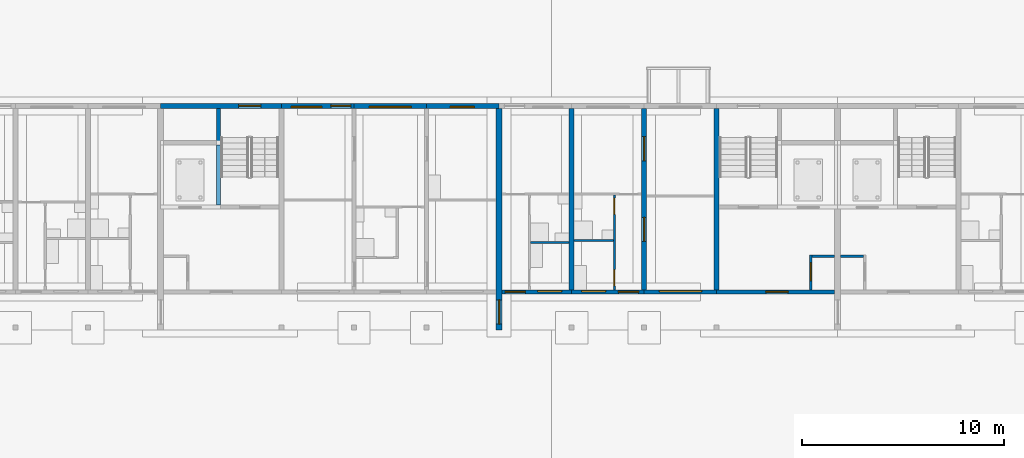
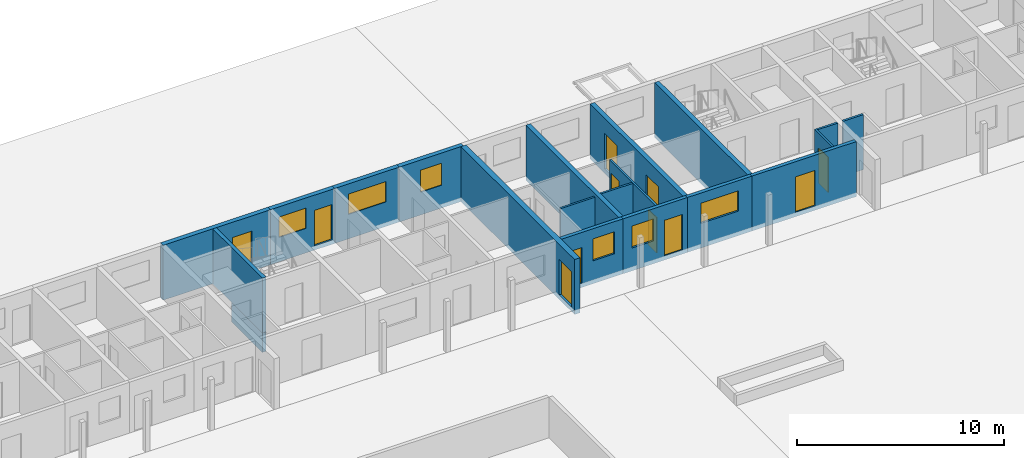
# One storey, part 50 of 112: 20 walls, 11 doors, 6 windows, 17 openings.
"""IFC4 building model written with IfcOpenShell, lengths in metres."""

from ifc_helpers import new_model, si_unit, direction, frame, frame_2d, origin, place, context, subcontext, project, spatial, rectangle, extrude, material, layer, layer_set, type_object, element, fill, save


model = new_model("IFC4")

# Units and contexts
model_context = context("Model", 3, precision=1e-05, world=origin(), true_north=direction((0.0, 1.0)))
body_context = subcontext(model_context, "Body", "Model", "MODEL_VIEW")
ifc_project = project(units=[si_unit("LENGTHUNIT", "METRE"), si_unit("AREAUNIT", "SQUARE_METRE"), si_unit("VOLUMEUNIT", "CUBIC_METRE"), si_unit("PLANEANGLEUNIT", "RADIAN"), si_unit("MASSUNIT", "GRAM", prefix="KILO")], contexts=[model_context])

# Site, building, storey
site_placement = place(None, origin())
site = spatial("IfcSite", under=ifc_project, at=site_placement, CompositionType="ELEMENT")
building_placement = place(site_placement, origin())
building = spatial("IfcBuilding", under=site, at=building_placement, Name="Ridgestep Commons", CompositionType="ELEMENT")
storey_placement = place(building_placement, origin())
storey = spatial("IfcBuildingStorey", under=building, at=storey_placement, Name="L00", CompositionType="ELEMENT", Elevation=0.0)

# Wall
ifc_material_1 = material(Name="Concrete C30/37", Category="concrete")
ifc_layer_1 = layer(ifc_material_1, 0.25)
ifc_layer_set_1 = layer_set([ifc_layer_1], Name="Core cross wall 250")
wall_type_1 = type_object("IfcWallType", Name="Core cross wall 250", PredefinedType="SHEAR", material=ifc_layer_set_1)
wall_1_placement = place(storey_placement, frame((73.199951171875, 68.0, -0.25), z_axis=(0.0, 0.0, 1.0), x_axis=(0.0, 1.0, 0.0)))
element("IfcWall", 1, at=wall_1_placement, inside=storey, type_object=wall_type_1, Name="Cross wall B-00-0732", PredefinedType="SHEAR", context=body_context, shape_type="SweptSolid", body=[
    extrude(rectangle(XDim=9.0, YDim=0.25, at=frame_2d((4.5, 0.0))), origin(), (0.0, 0.0, 1.0), 3.25),
])

# Wall, opening, door
ifc_material_2 = material(Name="Concrete C30/37", Category="concrete")
ifc_layer_2 = layer(ifc_material_2, 0.199951171875)
ifc_layer_set_2 = layer_set([ifc_layer_2], Name="Core south wall 200")
wall_type_2 = type_object("IfcWallType", Name="Core south wall 200", PredefinedType="SHEAR", material=ifc_layer_set_2)
wall_2_placement = place(storey_placement, frame((73.199951171875, 67.89990234375, -0.25), z_axis=(0.0, 0.0, 1.0), x_axis=(1.0, 0.0, 0.0)))
wall_2 = element("IfcWall", 2, at=wall_2_placement, inside=storey, type_object=wall_type_2, Name="Core south wall B4C L00", PredefinedType="SHEAR", context=body_context, shape_type="SweptSolid", body=[
    extrude(rectangle(XDim=5.85009765625, YDim=0.199951171875, at=frame_2d((2.925048828125, 0.0))), origin(), (0.0, 0.0, 1.0), 3.25),
])
opening_1_placement = place(wall_2_placement, frame((2.4375, 0.0, 0.25)))
opening_1 = element("IfcOpeningElement", 3, at=opening_1_placement, cuts=wall_2, Name="Opening B4C/00/1", PredefinedType="OPENING", context=body_context, shape_type="SweptSolid", body=[
    extrude(rectangle(XDim=1.10009765625, YDim=2.10009765625, at=frame_2d((0.550048828125, 1.050048828125))), frame((0.0, 0.10986328125, 0.0), z_axis=(0.0, -1.0, 0.0), x_axis=(1.0, 0.0, 0.0)), (0.0, 0.0, 1.0), 0.219970703125),
])
ifc_material_3 = material(Name="Steel fire door", Category="steel")
door_type_1 = type_object("IfcDoorType", Name="Lobby door 1100 x 2100 FD60", OperationType="NOTDEFINED", PredefinedType="DOOR", material=ifc_material_3)
door_1_placement = place(opening_1_placement, origin())
door_1 = element("IfcDoor", 4, at=door_1_placement, inside=storey, type_object=door_type_1, Name="Lobby door B4C/00/1", OperationType="SINGLE_SWING_LEFT", OverallHeight=2.10009765625, OverallWidth=1.10009765625, PredefinedType="DOOR", context=body_context, shape_type="SweptSolid", body=[
    extrude(rectangle(XDim=1.10009765625, YDim=2.10009765625, at=frame_2d((0.550048828125, 1.050048828125))), frame((0.0, 0.02490234375, 0.0), z_axis=(0.0, -1.0, 0.0), x_axis=(1.0, 0.0, 0.0)), (0.0, 0.0, 1.0), 0.050048828125),
])
fill(opening_1, door_1)

ifc_material_4 = material(Name="Concrete C30/37", Category="concrete")
ifc_layer_3 = layer(ifc_material_4, 0.1201171875)
ifc_layer_set_3 = layer_set([ifc_layer_3], Name="Core wall 120")
wall_type_3 = type_object("IfcWallType", Name="Core wall 120", PredefinedType="SHEAR", material=ifc_layer_set_3)
wall_3_placement = place(storey_placement, frame((77.860107421875, 68.0, -0.25), z_axis=(0.0, 0.0, 1.0), x_axis=(0.0, 1.0, 0.0)))
wall_3 = element("IfcWall", 5, at=wall_3_placement, inside=storey, type_object=wall_type_3, Name="Core riser w wall B4C L00", PredefinedType="SHEAR", context=body_context, shape_type="SweptSolid", body=[
    extrude(rectangle(XDim=1.719970703125, YDim=0.1201171875, at=frame_2d((0.85986328125, 0.0))), origin(), (0.0, 0.0, 1.0), 3.25),
])
opening_2_placement = place(wall_3_placement, frame((0.449951171875, 0.0, 0.25)))
opening_2 = element("IfcOpeningElement", 6, at=opening_2_placement, cuts=wall_3, Name="Opening B4C/00/4", PredefinedType="OPENING", context=body_context, shape_type="SweptSolid", body=[
    extrude(rectangle(XDim=0.89990234375, YDim=2.10009765625, at=frame_2d((0.449951171875, 1.050048828125))), frame((0.0, 0.070068359375, 0.0), z_axis=(0.0, -1.0, 0.0), x_axis=(1.0, 0.0, 0.0)), (0.0, 0.0, 1.0), 0.14013671875),
])
ifc_material_5 = material(Name="Steel fire door", Category="steel")
door_type_2 = type_object("IfcDoorType", Name="Riser door 900 x 2100 FD60", OperationType="NOTDEFINED", PredefinedType="DOOR", material=ifc_material_5)
door_2_placement = place(opening_2_placement, origin())
door_2 = element("IfcDoor", 7, at=door_2_placement, inside=storey, type_object=door_type_2, Name="Riser door B4C/00/4", OperationType="SINGLE_SWING_LEFT", OverallHeight=2.10009765625, OverallWidth=0.89990234375, PredefinedType="DOOR", context=body_context, shape_type="SweptSolid", body=[
    extrude(rectangle(XDim=0.89990234375, YDim=2.10009765625, at=frame_2d((0.449951171875, 1.050048828125))), frame((0.0, 0.02490234375, 0.0), z_axis=(0.0, -1.0, 0.0), x_axis=(1.0, 0.0, 0.0)), (0.0, 0.0, 1.0), 0.050048828125),
])
fill(opening_2, door_2)

# Walls
wall_4_placement = place(storey_placement, frame((77.919921875, 69.659912109375, -0.25), z_axis=(0.0, 0.0, 1.0), x_axis=(1.0, 0.0, 0.0)))
element("IfcWall", 8, at=wall_4_placement, inside=storey, type_object=wall_type_3, Name="Core riser n wall B4C L00", PredefinedType="SHEAR", context=body_context, shape_type="SweptSolid", body=[
    extrude(rectangle(XDim=1.130126953125, YDim=0.1201171875, at=frame_2d((0.56494140625, 0.0))), origin(), (0.0, 0.0, 1.0), 3.25),
])
wall_5_placement = place(storey_placement, frame((79.35009765625, 69.659912109375, -0.25), z_axis=(0.0, 0.0, 1.0), x_axis=(1.0, 0.0, 0.0)))
element("IfcWall", 9, at=wall_5_placement, inside=storey, type_object=wall_type_3, Name="Core riser n wall B5C L00", PredefinedType="SHEAR", context=body_context, shape_type="SweptSolid", body=[
    extrude(rectangle(XDim=1.1298828125, YDim=0.1201171875, at=frame_2d((0.56494140625, 0.0))), origin(), (0.0, 0.0, 1.0), 3.25),
])
ifc_material_6 = material(Name="Concrete C30/37", Category="concrete")
ifc_layer_4 = layer(ifc_material_6, 0.199951171875)
ifc_layer_set_4 = layer_set([ifc_layer_4], Name="Core wall 200")
wall_type_4 = type_object("IfcWallType", Name="Core wall 200", PredefinedType="SHEAR", material=ifc_layer_set_4)
wall_6_placement = place(storey_placement, frame((48.47509765625, 72.199951171875, -0.25), z_axis=(0.0, 0.0, 1.0), x_axis=(0.0, 1.0, 0.0)))
element("IfcWall", 10, at=wall_6_placement, inside=storey, type_object=wall_type_4, Name="Core stair wall B3C L00", PredefinedType="SHEAR", context=body_context, shape_type="SweptSolid", body=[
    extrude(rectangle(XDim=4.800048828125, YDim=0.199951171875, at=frame_2d((2.39990234375, 0.0))), origin(), (0.0, 0.0, 1.0), 3.25),
])
wall_7_placement = place(storey_placement, frame((48.47509765625, 72.199951171875, -1.39990234375), z_axis=(0.0, 0.0, 1.0), x_axis=(0.0, 1.0, 0.0)))
element("IfcWall", 11, at=wall_7_placement, inside=storey, type_object=wall_type_4, Name="Lift pit wall B3C", PredefinedType="SHEAR", context=body_context, shape_type="SweptSolid", body=[
    extrude(rectangle(XDim=3.0, YDim=0.199951171875, at=frame_2d((1.5, 0.0))), origin(), (0.0, 0.0, 1.0), 1.14990234375),
])
ifc_material_7 = material(Name="Precast concrete C40/50", Category="concrete")
ifc_layer_5 = layer(ifc_material_7, 0.25)
ifc_layer_set_5 = layer_set([ifc_layer_5], Name="Cross wall 250")
wall_type_5 = type_object("IfcWallType", Name="Cross wall 250", PredefinedType="SHEAR", material=ifc_layer_set_5)
wall_8_placement = place(storey_placement, frame((66.0, 68.0, -0.25), z_axis=(0.0, 0.0, 1.0), x_axis=(0.0, 1.0, 0.0)))
element("IfcWall", 12, at=wall_8_placement, inside=storey, type_object=wall_type_5, Name="Cross wall B-00-0660", PredefinedType="SHEAR", context=body_context, shape_type="SweptSolid", body=[
    extrude(rectangle(XDim=9.0, YDim=0.25, at=frame_2d((4.5, 0.0))), origin(), (0.0, 0.0, 1.0), 3.25),
])

# Wall, openings, doors
wall_9_placement = place(storey_placement, frame((69.60009765625, 68.0, -0.25), z_axis=(0.0, 0.0, 1.0), x_axis=(0.0, 1.0, 0.0)))
wall_9 = element("IfcWall", 13, at=wall_9_placement, inside=storey, type_object=wall_type_5, Name="Cross wall B-00-0696", PredefinedType="SHEAR", context=body_context, shape_type="SweptSolid", body=[
    extrude(rectangle(XDim=9.0, YDim=0.25, at=frame_2d((4.5, 0.0))), origin(), (0.0, 0.0, 1.0), 3.25),
])
opening_3_placement = place(wall_9_placement, frame((2.39990234375, 0.0, 0.25)))
opening_3 = element("IfcOpeningElement", 14, at=opening_3_placement, cuts=wall_9, Name="Opening B4-00b/5", PredefinedType="OPENING", context=body_context, shape_type="SweptSolid", body=[
    extrude(rectangle(XDim=1.199951171875, YDim=2.10009765625, at=frame_2d((0.60009765625, 1.050048828125))), frame((0.0, 0.135009765625, 0.0), z_axis=(0.0, -1.0, 0.0), x_axis=(1.0, 0.0, 0.0)), (0.0, 0.0, 1.0), 0.27001953125),
])
opening_4_placement = place(wall_9_placement, frame((6.39990234375, 0.0, 0.25)))
opening_4 = element("IfcOpeningElement", 15, at=opening_4_placement, cuts=wall_9, Name="Opening B4-00b/6", PredefinedType="OPENING", context=body_context, shape_type="SweptSolid", body=[
    extrude(rectangle(XDim=1.199951171875, YDim=2.10009765625, at=frame_2d((0.60009765625, 1.050048828125))), frame((0.0, 0.135009765625, 0.0), z_axis=(0.0, -1.0, 0.0), x_axis=(1.0, 0.0, 0.0)), (0.0, 0.0, 1.0), 0.27001953125),
])
ifc_material_8 = material(Name="Timber door leaf", Category="wood")
door_type_3 = type_object("IfcDoorType", Name="Double door 1200 x 2100", OperationType="DOUBLE_DOOR_SINGLE_SWING", PredefinedType="DOOR", material=ifc_material_8)
door_3_placement = place(opening_3_placement, origin())
door_3 = element("IfcDoor", 16, at=door_3_placement, inside=storey, type_object=door_type_3, Name="Double door B4-00b/5", OperationType="DOUBLE_DOOR_SINGLE_SWING", OverallHeight=2.10009765625, OverallWidth=1.199951171875, PredefinedType="DOOR", context=body_context, shape_type="SweptSolid", body=[
    extrude(rectangle(XDim=1.199951171875, YDim=2.10009765625, at=frame_2d((0.60009765625, 1.050048828125))), frame((0.0, 0.02490234375, 0.0), z_axis=(0.0, -1.0, 0.0), x_axis=(1.0, 0.0, 0.0)), (0.0, 0.0, 1.0), 0.050048828125),
])
fill(opening_3, door_3)
door_4_placement = place(opening_4_placement, origin())
door_4 = element("IfcDoor", 17, at=door_4_placement, inside=storey, type_object=door_type_3, Name="Double door B4-00b/6", OperationType="DOUBLE_DOOR_SINGLE_SWING", OverallHeight=2.10009765625, OverallWidth=1.199951171875, PredefinedType="DOOR", context=body_context, shape_type="SweptSolid", body=[
    extrude(rectangle(XDim=1.199951171875, YDim=2.10009765625, at=frame_2d((0.60009765625, 1.050048828125))), frame((0.0, 0.02490234375, 0.0), z_axis=(0.0, -1.0, 0.0), x_axis=(1.0, 0.0, 0.0)), (0.0, 0.0, 1.0), 0.050048828125),
])
fill(opening_4, door_4)

# Wall, opening, door
ifc_material_9 = material(Name="Precast concrete C40/50", Category="concrete")
ifc_layer_6 = layer(ifc_material_9, 0.300048828125)
ifc_layer_set_6 = layer_set([ifc_layer_6], Name="Division wall 300")
wall_type_6 = type_object("IfcWallType", Name="Division wall 300", PredefinedType="SHEAR", material=ifc_layer_set_6)
wall_10_placement = place(storey_placement, frame((62.39990234375, 66.0, -0.25), z_axis=(0.0, 0.0, 1.0), x_axis=(0.0, 1.0, 0.0)))
wall_10 = element("IfcWall", 18, at=wall_10_placement, inside=storey, type_object=wall_type_6, Name="Cross wall B-00-0624", PredefinedType="SHEAR", context=body_context, shape_type="SweptSolid", body=[
    extrude(rectangle(XDim=11.0, YDim=0.300048828125, at=frame_2d((5.5, 0.0))), origin(), (0.0, 0.0, 1.0), 3.25),
])
opening_5_placement = place(wall_10_placement, frame((0.300048828125, 0.0, 0.25)))
opening_5 = element("IfcOpeningElement", 19, at=opening_5_placement, cuts=wall_10, Name="Opening B/00/G0624", PredefinedType="OPENING", context=body_context, shape_type="SweptSolid", body=[
    extrude(rectangle(XDim=1.199951171875, YDim=2.10009765625, at=frame_2d((0.60009765625, 1.050048828125))), frame((0.0, 0.159912109375, 0.0), z_axis=(0.0, -1.0, 0.0), x_axis=(1.0, 0.0, 0.0)), (0.0, 0.0, 1.0), 0.320068359375),
])
ifc_material_10 = material(Name="Steel fire door", Category="steel")
door_type_4 = type_object("IfcDoorType", Name="Division fire door 1200 x 2100 EI 240", OperationType="DOUBLE_DOOR_SINGLE_SWING", PredefinedType="DOOR", material=ifc_material_10)
door_5_placement = place(opening_5_placement, origin())
door_5 = element("IfcDoor", 20, at=door_5_placement, inside=storey, type_object=door_type_4, Name="Division fire door B/00/G0624", OperationType="DOUBLE_DOOR_SINGLE_SWING", OverallHeight=2.10009765625, OverallWidth=1.199951171875, PredefinedType="DOOR", context=body_context, shape_type="SweptSolid", body=[
    extrude(rectangle(XDim=1.199951171875, YDim=2.10009765625, at=frame_2d((0.60009765625, 1.050048828125))), frame((0.0, 0.02490234375, 0.0), z_axis=(0.0, -1.0, 0.0), x_axis=(1.0, 0.0, 0.0)), (0.0, 0.0, 1.0), 0.050048828125),
])
fill(opening_5, door_5)

ifc_material_11 = material(Name="Precast concrete C40/50", Category="concrete")
ifc_layer_7 = layer(ifc_material_11, 0.25)
ifc_layer_set_7 = layer_set([ifc_layer_7], Name="North facade panel 250")
wall_type_7 = type_object("IfcWallType", Name="North facade panel 250", PredefinedType="SOLIDWALL", material=ifc_layer_set_7)
wall_11_placement = place(storey_placement, frame((45.60009765625, 77.125, -0.25), z_axis=(0.0, 0.0, 1.0), x_axis=(1.0, 0.0, 0.0)))
wall_11 = element("IfcWall", 21, at=wall_11_placement, inside=storey, type_object=wall_type_7, Name="North panel B3C L00", PredefinedType="SOLIDWALL", context=body_context, shape_type="SweptSolid", body=[
    extrude(rectangle(XDim=6.0, YDim=0.25, at=frame_2d((3.0, 0.0))), origin(), (0.0, 0.0, 1.0), 3.25),
])
opening_6_placement = place(wall_11_placement, frame((3.875, 0.0, 0.25)))
opening_6 = element("IfcOpeningElement", 22, at=opening_6_placement, cuts=wall_11, Name="Opening B3C/00/5", PredefinedType="OPENING", context=body_context, shape_type="SweptSolid", body=[
    extrude(rectangle(XDim=1.10009765625, YDim=2.10009765625, at=frame_2d((0.550048828125, 1.050048828125))), frame((0.0, 0.135009765625, 0.0), z_axis=(0.0, -1.0, 0.0), x_axis=(1.0, 0.0, 0.0)), (0.0, 0.0, 1.0), 0.27001953125),
])
ifc_material_12 = material(Name="Steel fire door", Category="steel")
door_type_5 = type_object("IfcDoorType", Name="Stair exit door 1100 x 2100 FD60", OperationType="NOTDEFINED", PredefinedType="DOOR", material=ifc_material_12)
door_6_placement = place(opening_6_placement, origin())
door_6 = element("IfcDoor", 23, at=door_6_placement, inside=storey, type_object=door_type_5, Name="Stair exit door B3C/00/5", OperationType="SINGLE_SWING_LEFT", OverallHeight=2.10009765625, OverallWidth=1.10009765625, PredefinedType="DOOR", context=body_context, shape_type="SweptSolid", body=[
    extrude(rectangle(XDim=1.10009765625, YDim=2.10009765625, at=frame_2d((0.550048828125, 1.050048828125))), frame((0.0, 0.02490234375, 0.0), z_axis=(0.0, -1.0, 0.0), x_axis=(1.0, 0.0, 0.0)), (0.0, 0.0, 1.0), 0.050048828125),
])
fill(opening_6, door_6)

# Wall, openings, door, window
wall_12_placement = place(storey_placement, frame((51.60009765625, 77.125, -0.25), z_axis=(0.0, 0.0, 1.0), x_axis=(1.0, 0.0, 0.0)))
wall_12 = element("IfcWall", 24, at=wall_12_placement, inside=storey, type_object=wall_type_7, Name="North panel B3T3 L00", PredefinedType="SOLIDWALL", context=body_context, shape_type="SweptSolid", body=[
    extrude(rectangle(XDim=3.599853515625, YDim=0.25, at=frame_2d((1.7998046875, 0.0))), origin(), (0.0, 0.0, 1.0), 3.25),
])
opening_7_placement = place(wall_12_placement, frame((0.487548828125, 0.0, 1.449951171875)))
opening_7 = element("IfcOpeningElement", 25, at=opening_7_placement, cuts=wall_12, Name="Opening W13", PredefinedType="OPENING", context=body_context, shape_type="SweptSolid", body=[
    extrude(rectangle(XDim=1.5, YDim=1.199951171875, at=frame_2d((0.75, 0.60009765625))), frame((0.0, 0.135009765625, 0.0), z_axis=(0.0, -1.0, 0.0), x_axis=(1.0, 0.0, 0.0)), (0.0, 0.0, 1.0), 0.27001953125),
])
opening_8_placement = place(wall_12_placement, frame((2.449951171875, 0.0, 0.25)))
opening_8 = element("IfcOpeningElement", 26, at=opening_8_placement, cuts=wall_12, Name="Opening B3-00a/8", PredefinedType="OPENING", context=body_context, shape_type="SweptSolid", body=[
    extrude(rectangle(XDim=1.0, YDim=2.10009765625, at=frame_2d((0.5, 1.050048828125))), frame((0.0, 0.135009765625, 0.0), z_axis=(0.0, -1.0, 0.0), x_axis=(1.0, 0.0, 0.0)), (0.0, 0.0, 1.0), 0.27001953125),
])
ifc_material_13 = material(Name="Aluminium and glass", Category="aluminium")
door_type_6 = type_object("IfcDoorType", Name="Balcony door 1000 x 2100", OperationType="NOTDEFINED", PredefinedType="DOOR", material=ifc_material_13)
door_7_placement = place(opening_8_placement, origin())
door_7 = element("IfcDoor", 27, at=door_7_placement, inside=storey, type_object=door_type_6, Name="Balcony door B3-00a/8", OperationType="SINGLE_SWING_LEFT", OverallHeight=2.10009765625, OverallWidth=1.0, PredefinedType="DOOR", context=body_context, shape_type="SweptSolid", body=[
    extrude(rectangle(XDim=1.0, YDim=2.10009765625, at=frame_2d((0.5, 1.050048828125))), frame((0.0, 0.02490234375, 0.0), z_axis=(0.0, -1.0, 0.0), x_axis=(1.0, 0.0, 0.0)), (0.0, 0.0, 1.0), 0.050048828125),
])
fill(opening_8, door_7)
ifc_material_14 = material(Name="Aluminium 6063-T6 and glass", Category="aluminium")
window_type_1 = type_object("IfcWindowType", Name="Flat window 1500 x 1200", PartitioningType="DOUBLE_PANEL_VERTICAL", PredefinedType="WINDOW", material=ifc_material_14)
window_1_placement = place(opening_7_placement, origin())
window_1 = element("IfcWindow", 28, at=window_1_placement, inside=storey, type_object=window_type_1, Name="Window B3-00a 2", OverallHeight=1.199951171875, OverallWidth=1.5, PartitioningType="SINGLE_PANEL", PredefinedType="WINDOW", context=body_context, shape_type="SweptSolid", body=[
    extrude(rectangle(XDim=1.5, YDim=1.199951171875, at=frame_2d((0.75, 0.60009765625))), frame((0.0, -0.02490234375, 0.0), z_axis=(0.0, -1.0, 0.0), x_axis=(1.0, 0.0, 0.0)), (0.0, 0.0, 1.0), 0.06005859375),
])
fill(opening_7, window_1)

# Wall, opening, window
wall_13_placement = place(storey_placement, frame((55.199951171875, 77.125, -0.25), z_axis=(0.0, 0.0, 1.0), x_axis=(1.0, 0.0, 0.0)))
wall_13 = element("IfcWall", 29, at=wall_13_placement, inside=storey, type_object=wall_type_7, Name="North panel B3T2 L00", PredefinedType="SOLIDWALL", context=body_context, shape_type="SweptSolid", body=[
    extrude(rectangle(XDim=3.60009765625, YDim=0.25, at=frame_2d((1.800048828125, 0.0))), origin(), (0.0, 0.0, 1.0), 3.25),
])
opening_9_placement = place(wall_13_placement, frame((0.75, 0.0, 1.449951171875)))
opening_9 = element("IfcOpeningElement", 30, at=opening_9_placement, cuts=wall_13, Name="Opening W22", PredefinedType="OPENING", context=body_context, shape_type="SweptSolid", body=[
    extrude(rectangle(XDim=2.10009765625, YDim=1.199951171875, at=frame_2d((1.050048828125, 0.60009765625))), frame((0.0, 0.135009765625, 0.0), z_axis=(0.0, -1.0, 0.0), x_axis=(1.0, 0.0, 0.0)), (0.0, 0.0, 1.0), 0.27001953125),
])
ifc_material_15 = material(Name="Aluminium 6063-T6 and glass", Category="aluminium")
window_type_2 = type_object("IfcWindowType", Name="Flat window 2100 x 1200", PartitioningType="DOUBLE_PANEL_VERTICAL", PredefinedType="WINDOW", material=ifc_material_15)
window_2_placement = place(opening_9_placement, origin())
window_2 = element("IfcWindow", 31, at=window_2_placement, inside=storey, type_object=window_type_2, Name="Window B3-00a 5", OverallHeight=1.199951171875, OverallWidth=2.10009765625, PartitioningType="SINGLE_PANEL", PredefinedType="WINDOW", context=body_context, shape_type="SweptSolid", body=[
    extrude(rectangle(XDim=2.10009765625, YDim=1.199951171875, at=frame_2d((1.050048828125, 0.60009765625))), frame((0.0, -0.02490234375, 0.0), z_axis=(0.0, -1.0, 0.0), x_axis=(1.0, 0.0, 0.0)), (0.0, 0.0, 1.0), 0.06005859375),
])
fill(opening_9, window_2)

wall_14_placement = place(storey_placement, frame((58.800048828125, 77.125, -0.25), z_axis=(0.0, 0.0, 1.0), x_axis=(1.0, 0.0, 0.0)))
wall_14 = element("IfcWall", 32, at=wall_14_placement, inside=storey, type_object=wall_type_7, Name="North panel B3T1 L00", PredefinedType="SOLIDWALL", context=body_context, shape_type="SweptSolid", body=[
    extrude(rectangle(XDim=3.599853515625, YDim=0.25, at=frame_2d((1.7998046875, 0.0))), origin(), (0.0, 0.0, 1.0), 3.25),
])
opening_10_placement = place(wall_14_placement, frame((1.175048828125, 0.0, 1.35009765625)))
opening_10 = element("IfcOpeningElement", 33, at=opening_10_placement, cuts=wall_14, Name="Opening W08", PredefinedType="OPENING", context=body_context, shape_type="SweptSolid", body=[
    extrude(rectangle(XDim=1.199951171875, YDim=1.300048828125, at=frame_2d((0.60009765625, 0.64990234375))), frame((0.0, 0.135009765625, 0.0), z_axis=(0.0, -1.0, 0.0), x_axis=(1.0, 0.0, 0.0)), (0.0, 0.0, 1.0), 0.27001953125),
])
ifc_material_16 = material(Name="Aluminium 6063-T6 and glass", Category="aluminium")
window_type_3 = type_object("IfcWindowType", Name="Flat window 1200 x 1300", PartitioningType="SINGLE_PANEL", PredefinedType="WINDOW", material=ifc_material_16)
window_3_placement = place(opening_10_placement, origin())
window_3 = element("IfcWindow", 34, at=window_3_placement, inside=storey, type_object=window_type_3, Name="Window B3-00a 4", OverallHeight=1.300048828125, OverallWidth=1.199951171875, PartitioningType="SINGLE_PANEL", PredefinedType="WINDOW", context=body_context, shape_type="SweptSolid", body=[
    extrude(rectangle(XDim=1.199951171875, YDim=1.300048828125, at=frame_2d((0.60009765625, 0.64990234375))), frame((0.0, -0.02490234375, 0.0), z_axis=(0.0, -1.0, 0.0), x_axis=(1.0, 0.0, 0.0)), (0.0, 0.0, 1.0), 0.06005859375),
])
fill(opening_10, window_3)

# Walls
ifc_material_17 = material(Name="Common brick 110 mm", Category="masonry")
ifc_layer_8 = layer(ifc_material_17, 0.110107421875)
ifc_layer_set_8 = layer_set([ifc_layer_8], Name="Partition 110")
wall_type_8 = type_object("IfcWallType", Name="Partition 110", PredefinedType="PARTITIONING", material=ifc_layer_set_8)
wall_15_placement = place(storey_placement, frame((63.9599609375, 70.35498046875, 0.0), z_axis=(0.0, 0.0, 1.0), x_axis=(1.0, 0.0, 0.0)))
element("IfcWall", 35, at=wall_15_placement, inside=storey, type_object=wall_type_8, Name="Partition B4-00a", PredefinedType="PARTITIONING", context=body_context, shape_type="SweptSolid", body=[
    extrude(rectangle(XDim=1.9150390625, YDim=0.110107421875, at=frame_2d((0.95751953125, 0.0))), origin(), (0.0, 0.0, 1.0), 2.800048828125),
])
wall_16_placement = place(storey_placement, frame((66.125, 70.455078125, 0.0), z_axis=(0.0, 0.0, 1.0), x_axis=(1.0, 0.0, 0.0)))
element("IfcWall", 36, at=wall_16_placement, inside=storey, type_object=wall_type_8, Name="Partition B4-00b", PredefinedType="PARTITIONING", context=body_context, shape_type="SweptSolid", body=[
    extrude(rectangle(XDim=1.93994140625, YDim=0.110107421875, at=frame_2d((0.969970703125, 0.0))), origin(), (0.0, 0.0, 1.0), 2.800048828125),
])

# Wall, openings, doors
wall_17_placement = place(storey_placement, frame((68.1201171875, 68.0, 0.0), z_axis=(0.0, 0.0, 1.0), x_axis=(0.0, 1.0, 0.0)))
wall_17 = element("IfcWall", 37, at=wall_17_placement, inside=storey, type_object=wall_type_8, Name="Partition B4-00b", PredefinedType="PARTITIONING", context=body_context, shape_type="SweptSolid", body=[
    extrude(rectangle(XDim=4.699951171875, YDim=0.110107421875, at=frame_2d((2.35009765625, 0.0))), origin(), (0.0, 0.0, 1.0), 2.800048828125),
])
opening_11_placement = place(wall_17_placement, frame((0.199951171875, 0.0, 0.0)))
opening_11 = element("IfcOpeningElement", 38, at=opening_11_placement, cuts=wall_17, Name="Opening B4-00b/2", PredefinedType="OPENING", context=body_context, shape_type="SweptSolid", body=[
    extrude(rectangle(XDim=0.800048828125, YDim=2.10009765625, at=frame_2d((0.39990234375, 1.050048828125))), frame((0.0, 0.06494140625, 0.0), z_axis=(0.0, -1.0, 0.0), x_axis=(1.0, 0.0, 0.0)), (0.0, 0.0, 1.0), 0.130126953125),
])
opening_12_placement = place(wall_17_placement, frame((3.75, 0.0, 0.0)))
opening_12 = element("IfcOpeningElement", 39, at=opening_12_placement, cuts=wall_17, Name="Opening B4-00b/3", PredefinedType="OPENING", context=body_context, shape_type="SweptSolid", body=[
    extrude(rectangle(XDim=0.800048828125, YDim=2.10009765625, at=frame_2d((0.39990234375, 1.050048828125))), frame((0.0, 0.06494140625, 0.0), z_axis=(0.0, -1.0, 0.0), x_axis=(1.0, 0.0, 0.0)), (0.0, 0.0, 1.0), 0.130126953125),
])
ifc_material_18 = material(Name="Timber door leaf", Category="wood")
door_type_7 = type_object("IfcDoorType", Name="Internal door 800 x 2100", OperationType="NOTDEFINED", PredefinedType="DOOR", material=ifc_material_18)
door_8_placement = place(opening_11_placement, origin())
door_8 = element("IfcDoor", 40, at=door_8_placement, inside=storey, type_object=door_type_7, Name="Internal door B4-00b/2", OperationType="SINGLE_SWING_LEFT", OverallHeight=2.10009765625, OverallWidth=0.800048828125, PredefinedType="DOOR", context=body_context, shape_type="SweptSolid", body=[
    extrude(rectangle(XDim=0.800048828125, YDim=2.10009765625, at=frame_2d((0.39990234375, 1.050048828125))), frame((0.0, 0.02490234375, 0.0), z_axis=(0.0, -1.0, 0.0), x_axis=(1.0, 0.0, 0.0)), (0.0, 0.0, 1.0), 0.050048828125),
])
fill(opening_11, door_8)
door_9_placement = place(opening_12_placement, origin())
door_9 = element("IfcDoor", 41, at=door_9_placement, inside=storey, type_object=door_type_7, Name="Internal door B4-00b/3", OperationType="SINGLE_SWING_RIGHT", OverallHeight=2.10009765625, OverallWidth=0.800048828125, PredefinedType="DOOR", context=body_context, shape_type="SweptSolid", body=[
    extrude(rectangle(XDim=0.800048828125, YDim=2.10009765625, at=frame_2d((0.39990234375, 1.050048828125))), frame((0.0, 0.02490234375, 0.0), z_axis=(0.0, -1.0, 0.0), x_axis=(1.0, 0.0, 0.0)), (0.0, 0.0, 1.0), 0.050048828125),
])
fill(opening_12, door_9)

# Wall, openings, door, window
ifc_material_19 = material(Name="Precast concrete C40/50", Category="concrete")
ifc_layer_9 = layer(ifc_material_19, 0.199951171875)
ifc_layer_set_9 = layer_set([ifc_layer_9], Name="South facade panel 200")
wall_type_9 = type_object("IfcWallType", Name="South facade panel 200", PredefinedType="SOLIDWALL", material=ifc_layer_set_9)
wall_18_placement = place(storey_placement, frame((62.550048828125, 67.89990234375, -0.25), z_axis=(0.0, 0.0, 1.0), x_axis=(1.0, 0.0, 0.0)))
wall_18 = element("IfcWall", 42, at=wall_18_placement, inside=storey, type_object=wall_type_9, Name="South panel B4T1 L00", PredefinedType="SOLIDWALL", context=body_context, shape_type="SweptSolid", body=[
    extrude(rectangle(XDim=3.449951171875, YDim=0.199951171875, at=frame_2d((1.72509765625, 0.0))), origin(), (0.0, 0.0, 1.0), 3.25),
])
opening_13_placement = place(wall_18_placement, frame((1.767578125, 0.0, 1.35009765625)))
opening_13 = element("IfcOpeningElement", 43, at=opening_13_placement, cuts=wall_18, Name="Opening W08", PredefinedType="OPENING", context=body_context, shape_type="SweptSolid", body=[
    extrude(rectangle(XDim=1.199951171875, YDim=1.300048828125, at=frame_2d((0.60009765625, 0.64990234375))), frame((0.0, 0.10986328125, 0.0), z_axis=(0.0, -1.0, 0.0), x_axis=(1.0, 0.0, 0.0)), (0.0, 0.0, 1.0), 0.219970703125),
])
opening_14_placement = place(wall_18_placement, frame((0.14990234375, 0.0, 0.25)))
opening_14 = element("IfcOpeningElement", 44, at=opening_14_placement, cuts=wall_18, Name="Opening B4-00a/1", PredefinedType="OPENING", context=body_context, shape_type="SweptSolid", body=[
    extrude(rectangle(XDim=1.0, YDim=2.10009765625, at=frame_2d((0.5, 1.050048828125))), frame((0.0, 0.10986328125, 0.0), z_axis=(0.0, -1.0, 0.0), x_axis=(1.0, 0.0, 0.0)), (0.0, 0.0, 1.0), 0.219970703125),
])
ifc_material_20 = material(Name="Timber door leaf", Category="wood")
door_type_8 = type_object("IfcDoorType", Name="Flat entrance door 1000 x 2100 FD30S", OperationType="NOTDEFINED", PredefinedType="DOOR", material=ifc_material_20)
door_10_placement = place(opening_14_placement, origin())
door_10 = element("IfcDoor", 45, at=door_10_placement, inside=storey, type_object=door_type_8, Name="Flat entrance door B4-00a/1", OperationType="SINGLE_SWING_LEFT", OverallHeight=2.10009765625, OverallWidth=1.0, PredefinedType="DOOR", context=body_context, shape_type="SweptSolid", body=[
    extrude(rectangle(XDim=1.0, YDim=2.10009765625, at=frame_2d((0.5, 1.050048828125))), frame((0.0, 0.02490234375, 0.0), z_axis=(0.0, -1.0, 0.0), x_axis=(1.0, 0.0, 0.0)), (0.0, 0.0, 1.0), 0.050048828125),
])
fill(opening_14, door_10)
window_4_placement = place(opening_13_placement, origin())
window_4 = element("IfcWindow", 46, at=window_4_placement, inside=storey, type_object=window_type_3, Name="Window B4-00a 1", OverallHeight=1.300048828125, OverallWidth=1.199951171875, PartitioningType="SINGLE_PANEL", PredefinedType="WINDOW", context=body_context, shape_type="SweptSolid", body=[
    extrude(rectangle(XDim=1.199951171875, YDim=1.300048828125, at=frame_2d((0.60009765625, 0.64990234375))), frame((0.0, 0.06005859375, 0.0), z_axis=(0.0, -1.0, 0.0), x_axis=(1.0, 0.0, 0.0)), (0.0, 0.0, 1.0), 0.06005859375),
])
fill(opening_13, window_4)

wall_19_placement = place(storey_placement, frame((66.0, 67.89990234375, -0.25), z_axis=(0.0, 0.0, 1.0), x_axis=(1.0, 0.0, 0.0)))
wall_19 = element("IfcWall", 47, at=wall_19_placement, inside=storey, type_object=wall_type_9, Name="South panel B4T2 L00", PredefinedType="SOLIDWALL", context=body_context, shape_type="SweptSolid", body=[
    extrude(rectangle(XDim=3.60009765625, YDim=0.199951171875, at=frame_2d((1.800048828125, 0.0))), origin(), (0.0, 0.0, 1.0), 3.25),
])
opening_15_placement = place(wall_19_placement, frame((0.4951171875, 0.0, 1.35009765625)))
opening_15 = element("IfcOpeningElement", 48, at=opening_15_placement, cuts=wall_19, Name="Opening W08", PredefinedType="OPENING", context=body_context, shape_type="SweptSolid", body=[
    extrude(rectangle(XDim=1.199951171875, YDim=1.300048828125, at=frame_2d((0.60009765625, 0.64990234375))), frame((0.0, 0.10986328125, 0.0), z_axis=(0.0, -1.0, 0.0), x_axis=(1.0, 0.0, 0.0)), (0.0, 0.0, 1.0), 0.219970703125),
])
opening_16_placement = place(wall_19_placement, frame((2.324951171875, 0.0, 0.25)))
opening_16 = element("IfcOpeningElement", 49, at=opening_16_placement, cuts=wall_19, Name="Opening B4-00b/1", PredefinedType="OPENING", context=body_context, shape_type="SweptSolid", body=[
    extrude(rectangle(XDim=1.0, YDim=2.10009765625, at=frame_2d((0.5, 1.050048828125))), frame((0.0, 0.10986328125, 0.0), z_axis=(0.0, -1.0, 0.0), x_axis=(1.0, 0.0, 0.0)), (0.0, 0.0, 1.0), 0.219970703125),
])
door_11_placement = place(opening_16_placement, origin())
door_11 = element("IfcDoor", 50, at=door_11_placement, inside=storey, type_object=door_type_8, Name="Flat entrance door B4-00b/1", OperationType="SINGLE_SWING_RIGHT", OverallHeight=2.10009765625, OverallWidth=1.0, PredefinedType="DOOR", context=body_context, shape_type="SweptSolid", body=[
    extrude(rectangle(XDim=1.0, YDim=2.10009765625, at=frame_2d((0.5, 1.050048828125))), frame((0.0, 0.02490234375, 0.0), z_axis=(0.0, -1.0, 0.0), x_axis=(1.0, 0.0, 0.0)), (0.0, 0.0, 1.0), 0.050048828125),
])
fill(opening_16, door_11)
window_5_placement = place(opening_15_placement, origin())
window_5 = element("IfcWindow", 51, at=window_5_placement, inside=storey, type_object=window_type_3, Name="Window B4-00b 3", OverallHeight=1.300048828125, OverallWidth=1.199951171875, PartitioningType="SINGLE_PANEL", PredefinedType="WINDOW", context=body_context, shape_type="SweptSolid", body=[
    extrude(rectangle(XDim=1.199951171875, YDim=1.300048828125, at=frame_2d((0.60009765625, 0.64990234375))), frame((0.0, 0.06005859375, 0.0), z_axis=(0.0, -1.0, 0.0), x_axis=(1.0, 0.0, 0.0)), (0.0, 0.0, 1.0), 0.06005859375),
])
fill(opening_15, window_5)

# Wall, opening, window
wall_20_placement = place(storey_placement, frame((69.60009765625, 67.89990234375, -0.25), z_axis=(0.0, 0.0, 1.0), x_axis=(1.0, 0.0, 0.0)))
wall_20 = element("IfcWall", 52, at=wall_20_placement, inside=storey, type_object=wall_type_9, Name="South panel B4T3 L00", PredefinedType="SOLIDWALL", context=body_context, shape_type="SweptSolid", body=[
    extrude(rectangle(XDim=3.599853515625, YDim=0.199951171875, at=frame_2d((1.7998046875, 0.0))), origin(), (0.0, 0.0, 1.0), 3.25),
])
opening_17_placement = place(wall_20_placement, frame((0.75, 0.0, 1.449951171875)))
opening_17 = element("IfcOpeningElement", 53, at=opening_17_placement, cuts=wall_20, Name="Opening W22", PredefinedType="OPENING", context=body_context, shape_type="SweptSolid", body=[
    extrude(rectangle(XDim=2.10009765625, YDim=1.199951171875, at=frame_2d((1.050048828125, 0.60009765625))), frame((0.0, 0.10986328125, 0.0), z_axis=(0.0, -1.0, 0.0), x_axis=(1.0, 0.0, 0.0)), (0.0, 0.0, 1.0), 0.219970703125),
])
window_6_placement = place(opening_17_placement, origin())
window_6 = element("IfcWindow", 54, at=window_6_placement, inside=storey, type_object=window_type_2, Name="Window B4-00b 1", OverallHeight=1.199951171875, OverallWidth=2.10009765625, PartitioningType="SINGLE_PANEL", PredefinedType="WINDOW", context=body_context, shape_type="SweptSolid", body=[
    extrude(rectangle(XDim=2.10009765625, YDim=1.199951171875, at=frame_2d((1.050048828125, 0.60009765625))), frame((0.0, 0.06005859375, 0.0), z_axis=(0.0, -1.0, 0.0), x_axis=(1.0, 0.0, 0.0)), (0.0, 0.0, 1.0), 0.06005859375),
])
fill(opening_17, window_6)

save(model, "model.ifc")
